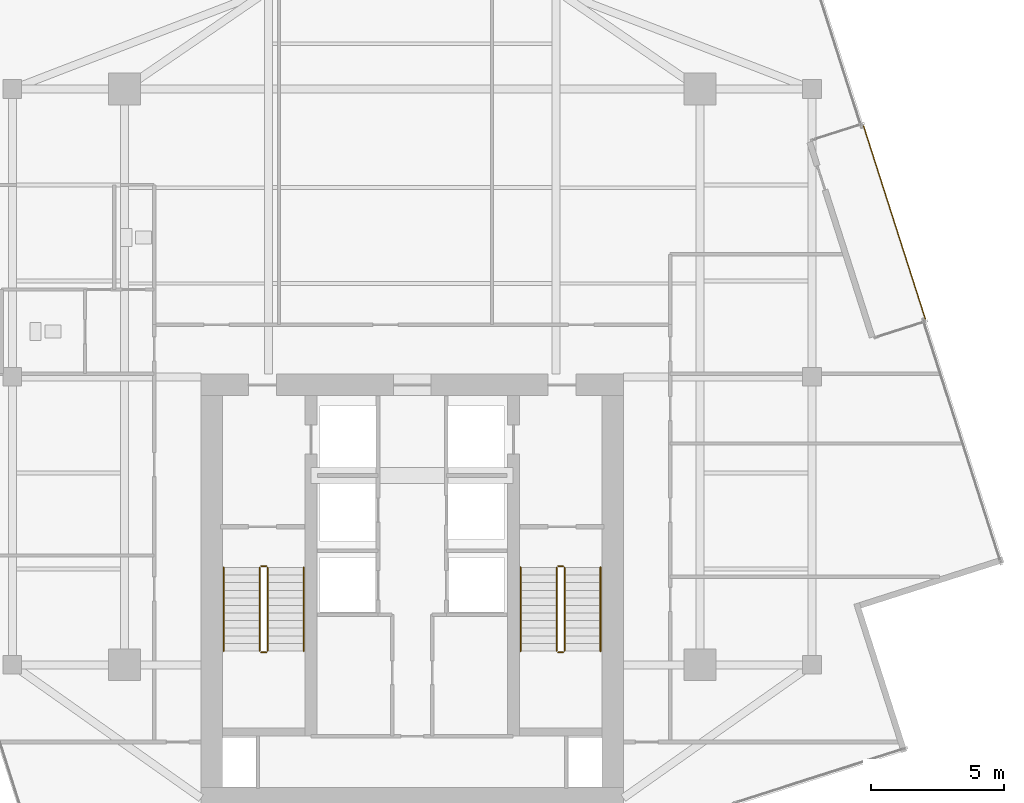
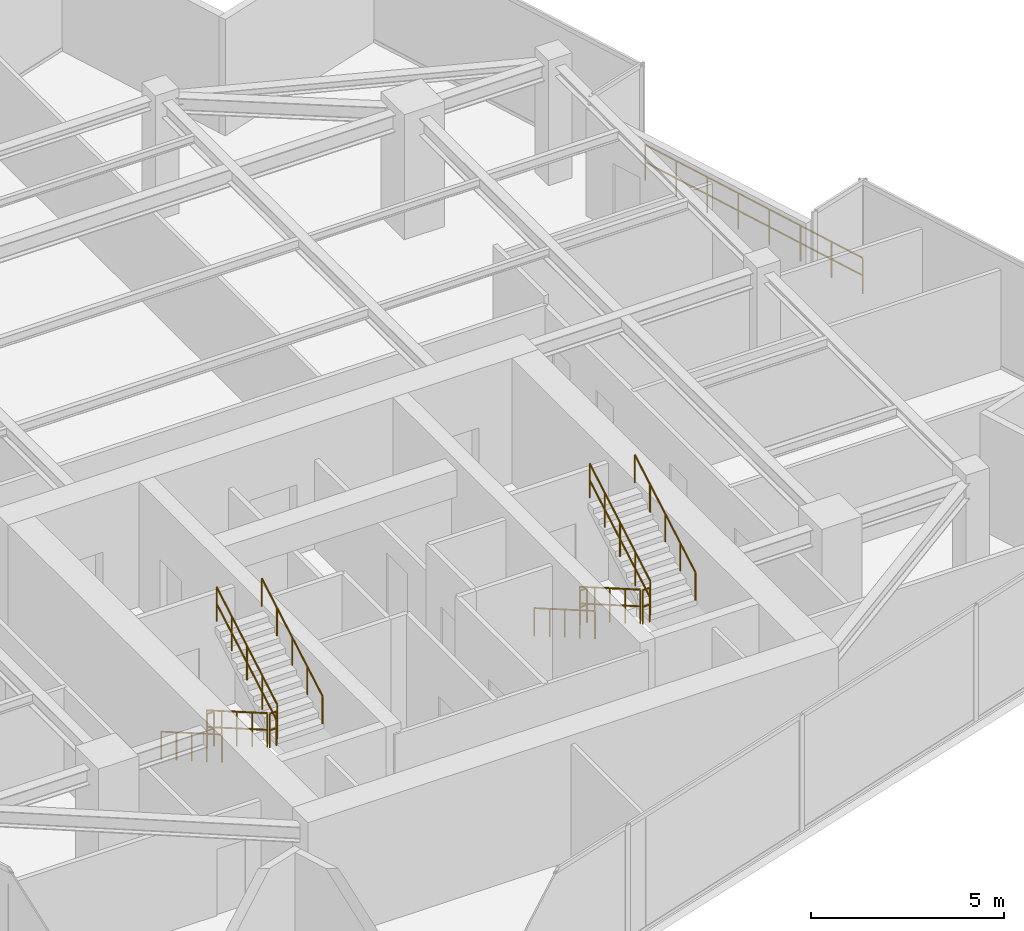
# One storey, part 20 of 21: 13 railings.
"""IFC4 building model written with IfcOpenShell, lengths in metres."""

from ifc_helpers import new_model, si_unit, direction, frame, origin, origin_2d, place, context, subcontext, project, spatial, circle, extrude, material, layer, layer_set, type_object, element, save


model = new_model("IFC4")

# Units and contexts
model_context = context("Model", 3, precision=1e-05, world=origin(), true_north=direction((0.0, 1.0)))
body_context = subcontext(model_context, "Body", "Model", "MODEL_VIEW")
ifc_project = project(units=[si_unit("LENGTHUNIT", "METRE"), si_unit("AREAUNIT", "SQUARE_METRE"), si_unit("VOLUMEUNIT", "CUBIC_METRE"), si_unit("PLANEANGLEUNIT", "RADIAN"), si_unit("MASSUNIT", "GRAM", prefix="KILO")], contexts=[model_context])

# Site, building, storey
site_placement = place(None, origin())
site = spatial("IfcSite", under=ifc_project, at=site_placement, CompositionType="ELEMENT")
building_placement = place(site_placement, origin())
building = spatial("IfcBuilding", under=site, at=building_placement, Name="Krantzveldt Concourse Tower", CompositionType="ELEMENT")
storey_placement = place(building_placement, frame((0.0, 0.0, 339.550048828125)))
storey = spatial("IfcBuildingStorey", under=building, at=storey_placement, Name="L83", CompositionType="ELEMENT", Elevation=339.550048828125)

# Railings
ifc_material = material(Name="Stainless steel 316L", Category="steel")
ifc_layer_1 = layer(ifc_material, 0.080078125, Name="Stainless steel 316L", Category="steel")
ifc_layer_set_1 = layer_set([ifc_layer_1], Name="Stainless steel 316L (RL-BALUSTRADE-1150)")
railing_type_1 = type_object("IfcRailingType", Name="RL-BALUSTRADE-1150", PredefinedType="BALUSTRADE", material=ifc_layer_set_1)
railing_1_placement = place(storey_placement, frame((52.93701171875, 36.111572265625, 0.0)))
element("IfcRailing", 1, at=railing_1_placement, inside=storey, type_object=railing_type_1, Name="GD-L83-CTER-01", PredefinedType="BALUSTRADE", context=body_context, shape_type="SweptSolid", body=[
    extrude(circle(Radius=0.02392578125, at=origin_2d()), frame((0.0, 0.0, 1.1259765625), z_axis=(0.304852654827, -0.952399526903, 0.0), x_axis=(0.952399526903, 0.304852654827, 0.0)), (0.0, 0.0, 1.0), 7.60009765625),
    extrude(circle(Radius=0.02392578125, at=origin_2d()), frame((0.0, 0.0, 0.574951171875), z_axis=(0.304852654827, -0.952399526903, 0.0), x_axis=(0.952399526903, 0.304852654827, 0.0)), (0.0, 0.0, 1.0), 7.60009765625),
    extrude(circle(Radius=0.02099609375, at=origin_2d()), origin(), (0.0, 0.0, 1.0), 1.101806640625),
    extrude(circle(Radius=0.02099609375, at=origin_2d()), frame((0.3310546875, -1.033935546875, 0.0)), (0.0, 0.0, 1.0), 1.101806640625),
    extrude(circle(Radius=0.02099609375, at=origin_2d()), frame((0.661865234375, -2.068115234375, 0.0)), (0.0, 0.0, 1.0), 1.101806640625),
    extrude(circle(Radius=0.02099609375, at=origin_2d()), frame((0.992919921875, -3.10205078125, 0.0)), (0.0, 0.0, 1.0), 1.101806640625),
    extrude(circle(Radius=0.02099609375, at=origin_2d()), frame((1.323974609375, -4.13623046875, 0.0)), (0.0, 0.0, 1.0), 1.101806640625),
    extrude(circle(Radius=0.02099609375, at=origin_2d()), frame((1.655029296875, -5.170166015625, 0.0)), (0.0, 0.0, 1.0), 1.101806640625),
    extrude(circle(Radius=0.02099609375, at=origin_2d()), frame((1.98583984375, -6.204345703125, 0.0)), (0.0, 0.0, 1.0), 1.101806640625),
    extrude(circle(Radius=0.02099609375, at=origin_2d()), frame((2.31689453125, -7.23828125, 0.0)), (0.0, 0.0, 1.0), 1.101806640625),
])
ifc_layer_2 = layer(ifc_material, 0.06005859375, Name="Stainless steel 316L", Category="steel")
ifc_layer_set_2 = layer_set([ifc_layer_2], Name="Stainless steel 316L (RL-GUARD-1120)")
railing_type_2 = type_object("IfcRailingType", Name="RL-GUARD-1120", PredefinedType="GUARDRAIL", material=ifc_layer_set_2)
railing_2_placement = place(storey_placement, frame((30.280029296875, 19.550048828125, 0.16455078125)))
element("IfcRailing", 2, at=railing_2_placement, inside=storey, type_object=railing_type_2, Name="L83 ST-1 stair guard 1", PredefinedType="GUARDRAIL", context=body_context, shape_type="SweptSolid", body=[
    extrude(circle(Radius=0.02392578125, at=origin_2d()), frame((0.0, 0.0, 1.076171875), z_axis=(0.0, -0.865989039225, 0.500062979975), x_axis=(1.0, 0.0, 0.0)), (0.0, 0.0, 1.0), 3.6201171875),
    extrude(circle(Radius=0.02392578125, at=origin_2d()), frame((0.0, 0.0, 0.550048828125), z_axis=(0.0, -0.865989039225, 0.500062979975), x_axis=(1.0, 0.0, 0.0)), (0.0, 0.0, 1.0), 3.6201171875),
    extrude(circle(Radius=0.02099609375, at=origin_2d()), origin(), (0.0, 0.0, 1.0), 1.052001953125),
    extrude(circle(Radius=0.02099609375, at=origin_2d()), frame((0.0, -0.78369140625, 0.45263671875)), (0.0, 0.0, 1.0), 1.052001953125),
    extrude(circle(Radius=0.02099609375, at=origin_2d()), frame((0.0, -1.5673828125, 0.9052734375)), (0.0, 0.0, 1.0), 1.052001953125),
    extrude(circle(Radius=0.02099609375, at=origin_2d()), frame((0.0, -2.351318359375, 1.357666015625)), (0.0, 0.0, 1.0), 1.052001953125),
    extrude(circle(Radius=0.02099609375, at=origin_2d()), frame((0.0, -3.135009765625, 1.810302734375)), (0.0, 0.0, 1.0), 1.052001953125),
])
railing_3_placement = place(storey_placement, frame((30.330078125, 16.364990234375, 1.974853515625)))
element("IfcRailing", 3, at=railing_3_placement, inside=storey, type_object=railing_type_2, Name="L83 ST-1 stair guard 2", PredefinedType="GUARDRAIL", context=body_context, shape_type="SweptSolid", body=[
    extrude(circle(Radius=0.02392578125, at=origin_2d()), frame((0.0, 0.0, 1.076171875), z_axis=(1.0, 0.0, 0.0), x_axis=(0.0, 1.0, 0.0)), (0.0, 0.0, 1.0), 0.199951171875),
    extrude(circle(Radius=0.02392578125, at=origin_2d()), frame((0.0, 0.0, 0.550048828125), z_axis=(1.0, 0.0, 0.0), x_axis=(0.0, 1.0, 0.0)), (0.0, 0.0, 1.0), 0.199951171875),
    extrude(circle(Radius=0.02099609375, at=origin_2d()), origin(), (0.0, 0.0, 1.0), 1.052001953125),
    extrude(circle(Radius=0.02099609375, at=origin_2d()), frame((0.199951171875, 0.0, 0.0)), (0.0, 0.0, 1.0), 1.052001953125),
])
railing_4_placement = place(storey_placement, frame((30.580078125, 16.4150390625, 2.1396484375)))
element("IfcRailing", 4, at=railing_4_placement, inside=storey, type_object=railing_type_2, Name="L83 ST-1 stair guard 3", PredefinedType="GUARDRAIL", context=body_context, shape_type="SweptSolid", body=[
    extrude(circle(Radius=0.02392578125, at=origin_2d()), frame((0.0, 0.0, 1.076171875), z_axis=(0.0, 0.865989039225, 0.500062979975), x_axis=(-1.0, 0.0, 0.0)), (0.0, 0.0, 1.0), 3.6201171875),
    extrude(circle(Radius=0.02392578125, at=origin_2d()), frame((0.0, 0.0, 0.550048828125), z_axis=(0.0, 0.865989039225, 0.500062979975), x_axis=(-1.0, 0.0, 0.0)), (0.0, 0.0, 1.0), 3.6201171875),
    extrude(circle(Radius=0.02099609375, at=origin_2d()), origin(), (0.0, 0.0, 1.0), 1.052001953125),
    extrude(circle(Radius=0.02099609375, at=origin_2d()), frame((0.0, 0.78369140625, 0.45263671875)), (0.0, 0.0, 1.0), 1.052001953125),
    extrude(circle(Radius=0.02099609375, at=origin_2d()), frame((0.0, 1.5673828125, 0.9052734375)), (0.0, 0.0, 1.0), 1.052001953125),
    extrude(circle(Radius=0.02099609375, at=origin_2d()), frame((0.0, 2.351318359375, 1.357666015625)), (0.0, 0.0, 1.0), 1.052001953125),
    extrude(circle(Radius=0.02099609375, at=origin_2d()), frame((0.0, 3.135009765625, 1.810302734375)), (0.0, 0.0, 1.0), 1.052001953125),
])
railing_5_placement = place(storey_placement, frame((30.330078125, 19.60009765625, 0.0)))
element("IfcRailing", 5, at=railing_5_placement, inside=storey, type_object=railing_type_2, Name="L83 ST-1 stair guard 4", PredefinedType="GUARDRAIL", context=body_context, shape_type="SweptSolid", body=[
    extrude(circle(Radius=0.02392578125, at=origin_2d()), frame((0.0, 0.0, 1.076171875), z_axis=(1.0, 0.0, 0.0), x_axis=(0.0, 1.0, 0.0)), (0.0, 0.0, 1.0), 0.199951171875),
    extrude(circle(Radius=0.02392578125, at=origin_2d()), frame((0.0, 0.0, 0.550048828125), z_axis=(1.0, 0.0, 0.0), x_axis=(0.0, 1.0, 0.0)), (0.0, 0.0, 1.0), 0.199951171875),
    extrude(circle(Radius=0.02099609375, at=origin_2d()), origin(), (0.0, 0.0, 1.0), 1.052001953125),
    extrude(circle(Radius=0.02099609375, at=origin_2d()), frame((0.199951171875, 0.0, 0.0)), (0.0, 0.0, 1.0), 1.052001953125),
])
railing_6_placement = place(storey_placement, frame((41.419921875, 19.550048828125, 0.16455078125)))
element("IfcRailing", 6, at=railing_6_placement, inside=storey, type_object=railing_type_2, Name="L83 ST-2 stair guard 1", PredefinedType="GUARDRAIL", context=body_context, shape_type="SweptSolid", body=[
    extrude(circle(Radius=0.02392578125, at=origin_2d()), frame((0.0, 0.0, 1.076171875), z_axis=(0.0, -0.865989039225, 0.500062979975), x_axis=(1.0, 0.0, 0.0)), (0.0, 0.0, 1.0), 3.6201171875),
    extrude(circle(Radius=0.02392578125, at=origin_2d()), frame((0.0, 0.0, 0.550048828125), z_axis=(0.0, -0.865989039225, 0.500062979975), x_axis=(1.0, 0.0, 0.0)), (0.0, 0.0, 1.0), 3.6201171875),
    extrude(circle(Radius=0.02099609375, at=origin_2d()), origin(), (0.0, 0.0, 1.0), 1.052001953125),
    extrude(circle(Radius=0.02099609375, at=origin_2d()), frame((0.0, -0.78369140625, 0.45263671875)), (0.0, 0.0, 1.0), 1.052001953125),
    extrude(circle(Radius=0.02099609375, at=origin_2d()), frame((0.0, -1.5673828125, 0.9052734375)), (0.0, 0.0, 1.0), 1.052001953125),
    extrude(circle(Radius=0.02099609375, at=origin_2d()), frame((0.0, -2.351318359375, 1.357666015625)), (0.0, 0.0, 1.0), 1.052001953125),
    extrude(circle(Radius=0.02099609375, at=origin_2d()), frame((0.0, -3.135009765625, 1.810302734375)), (0.0, 0.0, 1.0), 1.052001953125),
])
railing_7_placement = place(storey_placement, frame((41.469970703125, 16.364990234375, 1.974853515625)))
element("IfcRailing", 7, at=railing_7_placement, inside=storey, type_object=railing_type_2, Name="L83 ST-2 stair guard 2", PredefinedType="GUARDRAIL", context=body_context, shape_type="SweptSolid", body=[
    extrude(circle(Radius=0.02392578125, at=origin_2d()), frame((0.0, 0.0, 1.076171875), z_axis=(1.0, 0.0, 0.0), x_axis=(0.0, 1.0, 0.0)), (0.0, 0.0, 1.0), 0.199951171875),
    extrude(circle(Radius=0.02392578125, at=origin_2d()), frame((0.0, 0.0, 0.550048828125), z_axis=(1.0, 0.0, 0.0), x_axis=(0.0, 1.0, 0.0)), (0.0, 0.0, 1.0), 0.199951171875),
    extrude(circle(Radius=0.02099609375, at=origin_2d()), origin(), (0.0, 0.0, 1.0), 1.052001953125),
    extrude(circle(Radius=0.02099609375, at=origin_2d()), frame((0.199951171875, 0.0, 0.0)), (0.0, 0.0, 1.0), 1.052001953125),
])
railing_8_placement = place(storey_placement, frame((41.719970703125, 16.4150390625, 2.1396484375)))
element("IfcRailing", 8, at=railing_8_placement, inside=storey, type_object=railing_type_2, Name="L83 ST-2 stair guard 3", PredefinedType="GUARDRAIL", context=body_context, shape_type="SweptSolid", body=[
    extrude(circle(Radius=0.02392578125, at=origin_2d()), frame((0.0, 0.0, 1.076171875), z_axis=(0.0, 0.865989039225, 0.500062979975), x_axis=(-1.0, 0.0, 0.0)), (0.0, 0.0, 1.0), 3.6201171875),
    extrude(circle(Radius=0.02392578125, at=origin_2d()), frame((0.0, 0.0, 0.550048828125), z_axis=(0.0, 0.865989039225, 0.500062979975), x_axis=(-1.0, 0.0, 0.0)), (0.0, 0.0, 1.0), 3.6201171875),
    extrude(circle(Radius=0.02099609375, at=origin_2d()), origin(), (0.0, 0.0, 1.0), 1.052001953125),
    extrude(circle(Radius=0.02099609375, at=origin_2d()), frame((0.0, 0.78369140625, 0.45263671875)), (0.0, 0.0, 1.0), 1.052001953125),
    extrude(circle(Radius=0.02099609375, at=origin_2d()), frame((0.0, 1.5673828125, 0.9052734375)), (0.0, 0.0, 1.0), 1.052001953125),
    extrude(circle(Radius=0.02099609375, at=origin_2d()), frame((0.0, 2.351318359375, 1.357666015625)), (0.0, 0.0, 1.0), 1.052001953125),
    extrude(circle(Radius=0.02099609375, at=origin_2d()), frame((0.0, 3.135009765625, 1.810302734375)), (0.0, 0.0, 1.0), 1.052001953125),
])
railing_9_placement = place(storey_placement, frame((41.469970703125, 19.60009765625, 0.0)))
element("IfcRailing", 9, at=railing_9_placement, inside=storey, type_object=railing_type_2, Name="L83 ST-2 stair guard 4", PredefinedType="GUARDRAIL", context=body_context, shape_type="SweptSolid", body=[
    extrude(circle(Radius=0.02392578125, at=origin_2d()), frame((0.0, 0.0, 1.076171875), z_axis=(1.0, 0.0, 0.0), x_axis=(0.0, 1.0, 0.0)), (0.0, 0.0, 1.0), 0.199951171875),
    extrude(circle(Radius=0.02392578125, at=origin_2d()), frame((0.0, 0.0, 0.550048828125), z_axis=(1.0, 0.0, 0.0), x_axis=(0.0, 1.0, 0.0)), (0.0, 0.0, 1.0), 0.199951171875),
    extrude(circle(Radius=0.02099609375, at=origin_2d()), origin(), (0.0, 0.0, 1.0), 1.052001953125),
    extrude(circle(Radius=0.02099609375, at=origin_2d()), frame((0.199951171875, 0.0, 0.0)), (0.0, 0.0, 1.0), 1.052001953125),
])
ifc_layer_3 = layer(ifc_material, 0.050048828125, Name="Stainless steel 316L", Category="steel")
ifc_layer_set_3 = layer_set([ifc_layer_3], Name="Stainless steel 316L (RL-HANDRAIL-920)")
railing_type_3 = type_object("IfcRailingType", Name="RL-HANDRAIL-920", PredefinedType="HANDRAIL", material=ifc_layer_set_3)
railing_10_placement = place(storey_placement, frame((28.929931640625, 19.550048828125, 0.16455078125)))
element("IfcRailing", 10, at=railing_10_placement, inside=storey, type_object=railing_type_3, Name="L83 ST-1 stair handrail 1", PredefinedType="HANDRAIL", context=body_context, shape_type="SweptSolid", body=[
    extrude(circle(Radius=0.02392578125, at=origin_2d()), frame((0.0, 0.0, 0.8759765625), z_axis=(0.0, -0.865989039225, 0.500062979975), x_axis=(1.0, 0.0, 0.0)), (0.0, 0.0, 1.0), 3.6201171875),
    extrude(circle(Radius=0.02099609375, at=origin_2d()), origin(), (0.0, 0.0, 1.0), 0.851806640625),
    extrude(circle(Radius=0.02099609375, at=origin_2d()), frame((0.0, -0.78369140625, 0.45263671875)), (0.0, 0.0, 1.0), 0.851806640625),
    extrude(circle(Radius=0.02099609375, at=origin_2d()), frame((0.0, -1.5673828125, 0.9052734375)), (0.0, 0.0, 1.0), 0.851806640625),
    extrude(circle(Radius=0.02099609375, at=origin_2d()), frame((0.0, -2.351318359375, 1.357666015625)), (0.0, 0.0, 1.0), 0.851806640625),
    extrude(circle(Radius=0.02099609375, at=origin_2d()), frame((0.0, -3.135009765625, 1.810302734375)), (0.0, 0.0, 1.0), 0.851806640625),
])
railing_11_placement = place(storey_placement, frame((31.929931640625, 16.4150390625, 2.1396484375)))
element("IfcRailing", 11, at=railing_11_placement, inside=storey, type_object=railing_type_3, Name="L83 ST-1 stair handrail 2", PredefinedType="HANDRAIL", context=body_context, shape_type="SweptSolid", body=[
    extrude(circle(Radius=0.02392578125, at=origin_2d()), frame((0.0, 0.0, 0.8759765625), z_axis=(0.0, 0.865989039225, 0.500062979975), x_axis=(-1.0, 0.0, 0.0)), (0.0, 0.0, 1.0), 3.6201171875),
    extrude(circle(Radius=0.02099609375, at=origin_2d()), origin(), (0.0, 0.0, 1.0), 0.851806640625),
    extrude(circle(Radius=0.02099609375, at=origin_2d()), frame((0.0, 0.78369140625, 0.45263671875)), (0.0, 0.0, 1.0), 0.851806640625),
    extrude(circle(Radius=0.02099609375, at=origin_2d()), frame((0.0, 1.5673828125, 0.9052734375)), (0.0, 0.0, 1.0), 0.851806640625),
    extrude(circle(Radius=0.02099609375, at=origin_2d()), frame((0.0, 2.351318359375, 1.357666015625)), (0.0, 0.0, 1.0), 0.851806640625),
    extrude(circle(Radius=0.02099609375, at=origin_2d()), frame((0.0, 3.135009765625, 1.810302734375)), (0.0, 0.0, 1.0), 0.851806640625),
])
railing_12_placement = place(storey_placement, frame((40.070068359375, 19.550048828125, 0.16455078125)))
element("IfcRailing", 12, at=railing_12_placement, inside=storey, type_object=railing_type_3, Name="L83 ST-2 stair handrail 1", PredefinedType="HANDRAIL", context=body_context, shape_type="SweptSolid", body=[
    extrude(circle(Radius=0.02392578125, at=origin_2d()), frame((0.0, 0.0, 0.8759765625), z_axis=(0.0, -0.865989039225, 0.500062979975), x_axis=(1.0, 0.0, 0.0)), (0.0, 0.0, 1.0), 3.6201171875),
    extrude(circle(Radius=0.02099609375, at=origin_2d()), origin(), (0.0, 0.0, 1.0), 0.851806640625),
    extrude(circle(Radius=0.02099609375, at=origin_2d()), frame((0.0, -0.78369140625, 0.45263671875)), (0.0, 0.0, 1.0), 0.851806640625),
    extrude(circle(Radius=0.02099609375, at=origin_2d()), frame((0.0, -1.5673828125, 0.9052734375)), (0.0, 0.0, 1.0), 0.851806640625),
    extrude(circle(Radius=0.02099609375, at=origin_2d()), frame((0.0, -2.351318359375, 1.357666015625)), (0.0, 0.0, 1.0), 0.851806640625),
    extrude(circle(Radius=0.02099609375, at=origin_2d()), frame((0.0, -3.135009765625, 1.810302734375)), (0.0, 0.0, 1.0), 0.851806640625),
])
railing_13_placement = place(storey_placement, frame((43.070068359375, 16.4150390625, 2.1396484375)))
element("IfcRailing", 13, at=railing_13_placement, inside=storey, type_object=railing_type_3, Name="L83 ST-2 stair handrail 2", PredefinedType="HANDRAIL", context=body_context, shape_type="SweptSolid", body=[
    extrude(circle(Radius=0.02392578125, at=origin_2d()), frame((0.0, 0.0, 0.8759765625), z_axis=(0.0, 0.865989039225, 0.500062979975), x_axis=(-1.0, 0.0, 0.0)), (0.0, 0.0, 1.0), 3.6201171875),
    extrude(circle(Radius=0.02099609375, at=origin_2d()), origin(), (0.0, 0.0, 1.0), 0.851806640625),
    extrude(circle(Radius=0.02099609375, at=origin_2d()), frame((0.0, 0.78369140625, 0.45263671875)), (0.0, 0.0, 1.0), 0.851806640625),
    extrude(circle(Radius=0.02099609375, at=origin_2d()), frame((0.0, 1.5673828125, 0.9052734375)), (0.0, 0.0, 1.0), 0.851806640625),
    extrude(circle(Radius=0.02099609375, at=origin_2d()), frame((0.0, 2.351318359375, 1.357666015625)), (0.0, 0.0, 1.0), 0.851806640625),
    extrude(circle(Radius=0.02099609375, at=origin_2d()), frame((0.0, 3.135009765625, 1.810302734375)), (0.0, 0.0, 1.0), 0.851806640625),
])

save(model, "model.ifc")
